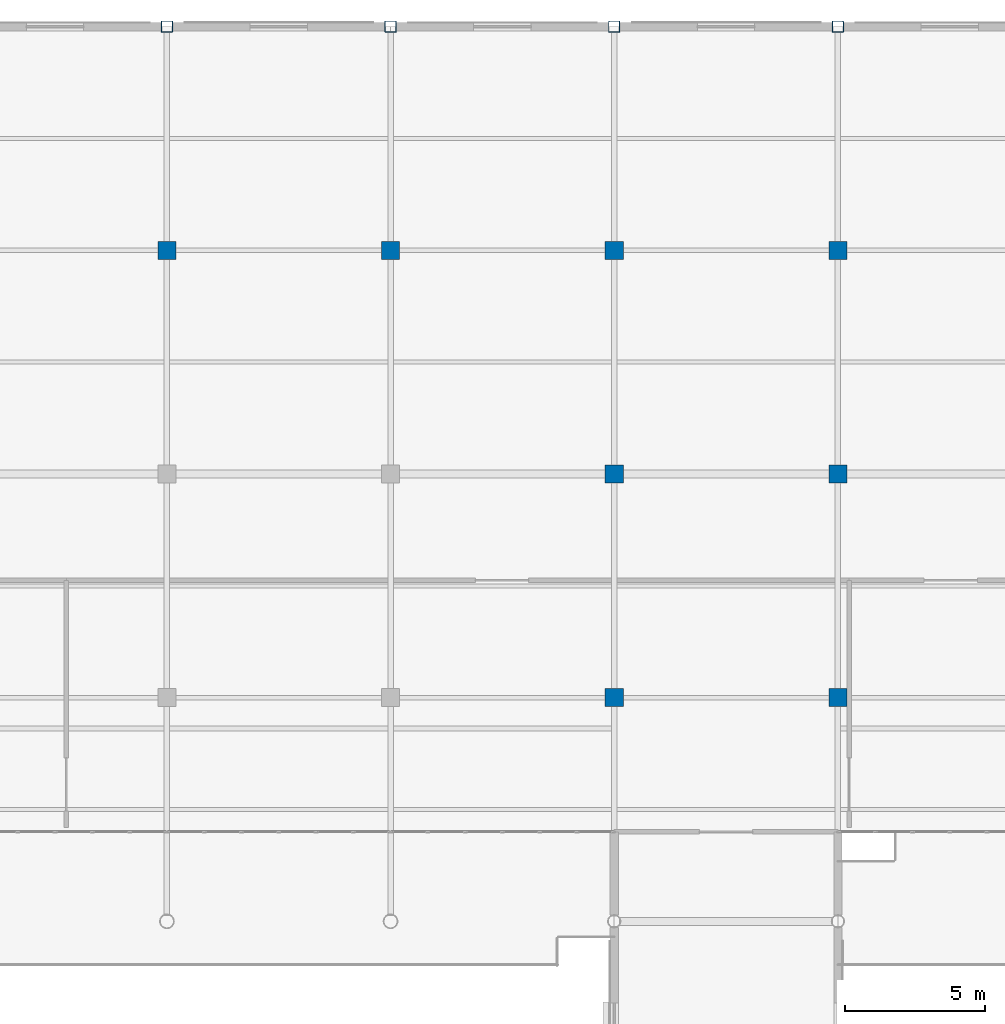
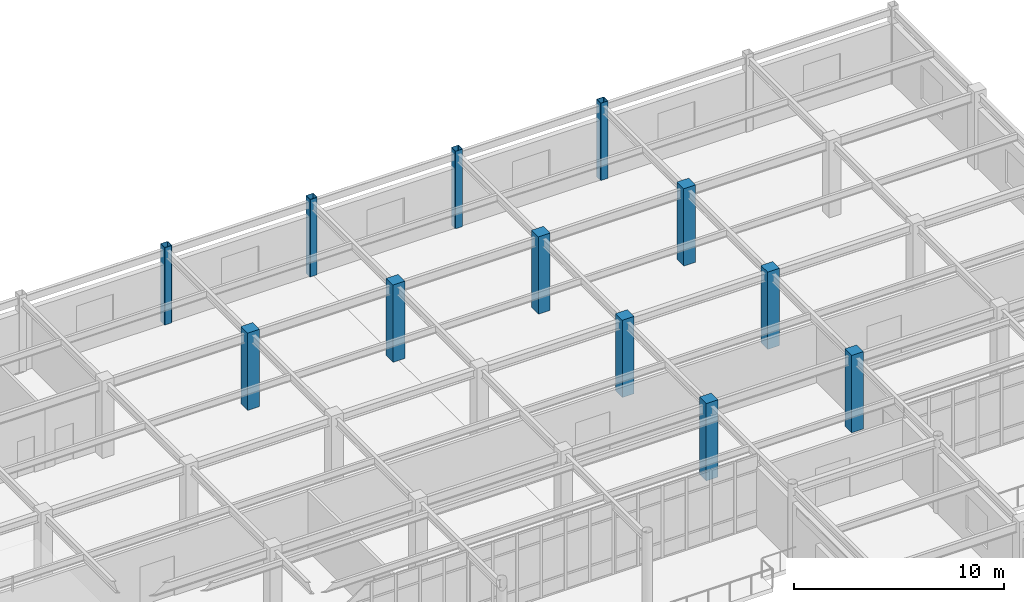
# One storey, part 10 of 75: 12 columns.
"""IFC4 building model written with IfcOpenShell, lengths in metres."""

from ifc_helpers import new_model, si_unit, direction, frame, origin, origin_2d, place, context, subcontext, project, spatial, rectangle, hollow_rectangle, extrude, material, material_profile, profile_set, type_object, element, save


model = new_model("IFC4")

# Units and contexts
model_context = context("Model", 3, precision=1e-05, world=origin(), true_north=direction((0.0, 1.0)))
body_context = subcontext(model_context, "Body", "Model", "MODEL_VIEW")
ifc_project = project(units=[si_unit("LENGTHUNIT", "METRE"), si_unit("AREAUNIT", "SQUARE_METRE"), si_unit("VOLUMEUNIT", "CUBIC_METRE"), si_unit("PLANEANGLEUNIT", "RADIAN"), si_unit("MASSUNIT", "GRAM", prefix="KILO")], contexts=[model_context])

# Site, building, storey
site_placement = place(None, origin())
site = spatial("IfcSite", under=ifc_project, at=site_placement, CompositionType="ELEMENT")
building_placement = place(site_placement, origin())
building = spatial("IfcBuilding", under=site, at=building_placement, Name="Solmirada Galleria", CompositionType="ELEMENT")
storey_placement = place(building_placement, frame((0.0, 0.0, 19.39990234375)))
storey = spatial("IfcBuildingStorey", under=building, at=storey_placement, Name="L04", CompositionType="ELEMENT", Elevation=19.39990234375)

# Columns
ifc_material_1 = material(Name="Steel S355 / ASTM A500 Grade C", Category="steel")
ifc_material_profile_1 = material_profile(ifc_material_1, hollow_rectangle(XDim=0.406005859375, YDim=0.406005859375, WallThickness=0.0146484375, InnerFilletRadius=0.0146484375, OuterFilletRadius=0.029296875, at=origin_2d()), Name="HSS16X16X5/8")
ifc_profile_set_1 = profile_set([ifc_material_profile_1], Name="Steel S355 / ASTM A500 Grade C")
column_type_1 = type_object("IfcColumnType", Name="COL-HSS16", PredefinedType="COLUMN", material=ifc_profile_set_1)
for number, where, z_axis, x_axis, name in (
    (1, (72.0, 120.0, 0.0), (0.0, 0.0, 1.0), (1.0, 0.0, 0.0), "Structural column L04-0343"),
    (2, (80.0, 120.0, 0.0), (0.0, 0.0, 1.0), (1.0, 0.0, 0.0), "Structural column L04-0460"),
    (3, (88.0, 120.0, 0.0), (0.0, 0.0, 1.0), (1.0, 0.0, 0.0), "Structural column L04-0582"),
    (4, (96.0, 120.0, 0.0), (0.0, 0.0, 1.0), (1.0, 0.0, 0.0), "Structural column L04-0690"),
):
    element("IfcColumn", number, at=place(storey_placement, frame(where, z_axis=z_axis, x_axis=x_axis)), inside=storey, type_object=column_type_1, Name=name, PredefinedType="COLUMN", context=body_context, shape_type="SweptSolid", body=[
        extrude(hollow_rectangle(XDim=0.406005859375, YDim=0.406005859375, WallThickness=0.0146484375, InnerFilletRadius=0.0146484375, OuterFilletRadius=0.029296875, at=origin_2d()), origin(), (0.0, 0.0, 1.0), 4.5),
    ])
ifc_material_2 = material(Name="Concrete C40/50", Category="concrete")
ifc_material_profile_2 = material_profile(ifc_material_2, rectangle(XDim=0.64990234375, YDim=0.64990234375, at=origin_2d()), Name="RC650X650")
ifc_profile_set_2 = profile_set([ifc_material_profile_2], Name="Concrete C40/50")
column_type_2 = type_object("IfcColumnType", Name="COL-RC650", PredefinedType="COLUMN", material=ifc_profile_set_2)
for number, where, z_axis, x_axis, name in (
    (5, (72.0, 112.0, 0.0), (0.0, 0.0, 1.0), (1.0, 0.0, 0.0), "Structural column L04-0336"),
    (6, (80.0, 112.0, 0.0), (0.0, 0.0, 1.0), (1.0, 0.0, 0.0), "Structural column L04-0453"),
    (7, (88.0, 96.0, 0.0), (0.0, 0.0, 1.0), (1.0, 0.0, 0.0), "Structural column L04-0561"),
    (8, (88.0, 104.0, 0.0), (0.0, 0.0, 1.0), (1.0, 0.0, 0.0), "Structural column L04-0568"),
    (9, (88.0, 112.0, 0.0), (0.0, 0.0, 1.0), (1.0, 0.0, 0.0), "Structural column L04-0575"),
    (10, (96.0, 96.0, 0.0), (0.0, 0.0, 1.0), (1.0, 0.0, 0.0), "Structural column L04-0669"),
    (11, (96.0, 104.0, 0.0), (0.0, 0.0, 1.0), (1.0, 0.0, 0.0), "Structural column L04-0676"),
    (12, (96.0, 112.0, 0.0), (0.0, 0.0, 1.0), (1.0, 0.0, 0.0), "Structural column L04-0683"),
):
    element("IfcColumn", number, at=place(storey_placement, frame(where, z_axis=z_axis, x_axis=x_axis)), inside=storey, type_object=column_type_2, Name=name, PredefinedType="COLUMN", context=body_context, shape_type="SweptSolid", body=[
        extrude(rectangle(XDim=0.64990234375, YDim=0.64990234375, at=origin_2d()), origin(), (0.0, 0.0, 1.0), 4.5),
    ])

save(model, "model.ifc")
